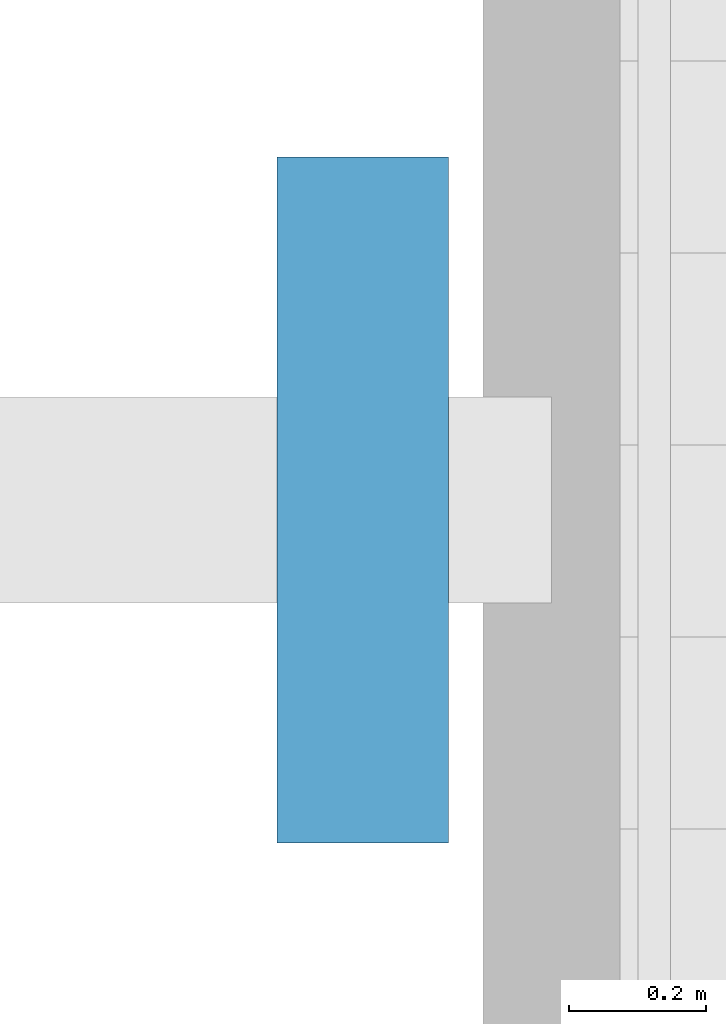
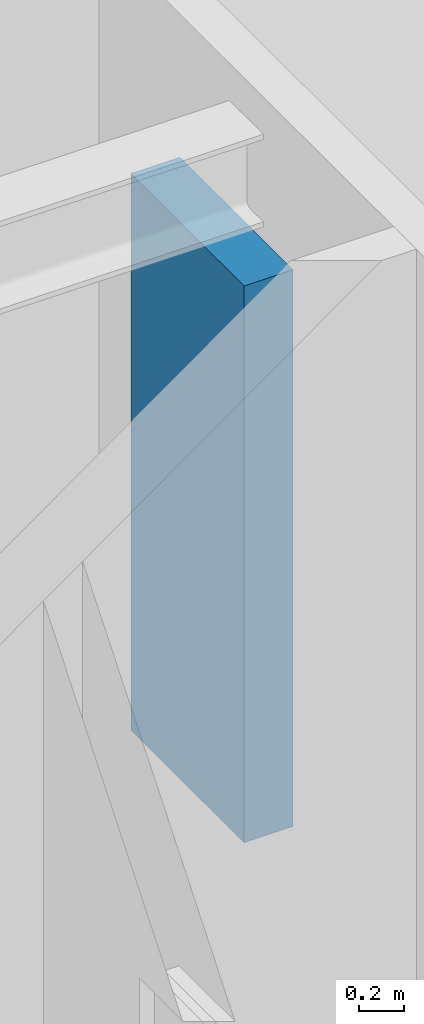
# One storey, part 14 of 17: 1 discrete accessory.
"""IFC4 building model written with IfcOpenShell, lengths in metres."""

import ifcopenshell
import ifcopenshell.guid

model = None  # the IFC model being written
_history = None  # IfcOwnerHistory: only IFC2X3 demands one
_inside = {}  # id of a spatial element -> (the spatial element, [elements in it])
_under = {}  # id of a project, library or spatial element -> (it, [spatial elements below it])
_declared = {}  # id of a project -> (the project, [libraries it declares])
_typed = {}  # id of a type object -> (the type object, [elements of that type])
_made_of = {}  # id of a material, layer set ... -> (it, [elements and type objects made of it])


def new_model(schema):
    """Start an empty IFC model of exactly this schema.

    Asked for "IFC4X3", IfcOpenShell would pick the latest addendum, in which some entities
    have other attributes; the version numbers below select the first issue.
    IFC2X3 requires an IfcOwnerHistory on every rooted entity: one is made here for all.
    """
    global model, _history
    if schema == "IFC4X3":
        model = ifcopenshell.file(schema_version=(4, 3, 0, 0))
    else:
        model = ifcopenshell.file(schema=schema)
    _inside.clear()
    _under.clear()
    _declared.clear()
    _typed.clear()
    _made_of.clear()
    _history = None
    if model.schema == "IFC2X3":
        org = make("IfcOrganization", Name="unknown")
        user = make(
            "IfcPersonAndOrganization",
            ThePerson=make("IfcPerson", FamilyName="unknown"),
            TheOrganization=org,
        )
        app = make(
            "IfcApplication",
            ApplicationDeveloper=org,
            Version="unknown",
            ApplicationFullName="unknown",
            ApplicationIdentifier="unknown",
        )
        _history = make(
            "IfcOwnerHistory",
            OwningUser=user,
            OwningApplication=app,
            ChangeAction="ADDED",
            CreationDate=0,
        )
    return model


def make(cls, **values):
    """One entity of the class cls with the attributes given. An attribute that is None is left unset."""
    return model.create_entity(
        cls, **{name: value for name, value in values.items() if value is not None}
    )


def rooted(cls, **values):
    """An entity with a GlobalId (a new one), such as an element, a storey or a relation."""
    return make(cls, GlobalId=ifcopenshell.guid.new(), OwnerHistory=_history, **values)


def si_unit(unit_type, name, prefix=None):
    """IfcSIUnit, for example si_unit("LENGTHUNIT", "METRE", prefix="MILLI")."""
    return make("IfcSIUnit", UnitType=unit_type, Prefix=prefix, Name=name)


def assignment(units):
    """IfcUnitAssignment: the units of a project."""
    return None if units is None else make("IfcUnitAssignment", Units=units)


def point(xyz):
    """IfcCartesianPoint."""
    return None if xyz is None else make("IfcCartesianPoint", Coordinates=xyz)


def direction(xyz):
    """IfcDirection."""
    return None if xyz is None else make("IfcDirection", DirectionRatios=xyz)


def frame(location, z_axis=None, x_axis=None):
    """IfcAxis2Placement3D, a coordinate frame: its origin and axes. An axis left out is left unset."""
    return make(
        "IfcAxis2Placement3D",
        Location=point(location),
        Axis=direction(z_axis),
        RefDirection=direction(x_axis),
    )


def frame_2d(location, x_axis=None):
    """IfcAxis2Placement2D, a coordinate frame in the plane: its origin and x axis."""
    return make(
        "IfcAxis2Placement2D", Location=point(location), RefDirection=direction(x_axis)
    )


def origin():
    """The frame at (0, 0, 0) with its axes left unset."""
    return frame((0.0, 0.0, 0.0))


def origin_2d():
    """The frame at (0, 0) in the plane with its x axis left unset."""
    return frame_2d((0.0, 0.0))


def place(relative_to, where):
    """IfcLocalPlacement: puts the frame where relative to a parent placement (None: the world)."""
    return make(
        "IfcLocalPlacement", PlacementRelTo=relative_to, RelativePlacement=where
    )


def context(
    kind, dimensions, precision=None, world=None, true_north=None, identifier=None
):
    """IfcGeometricRepresentationContext, for example the 3D "Model" context."""
    return make(
        "IfcGeometricRepresentationContext",
        ContextIdentifier=identifier,
        ContextType=kind,
        CoordinateSpaceDimension=dimensions,
        Precision=precision,
        WorldCoordinateSystem=world,
        TrueNorth=true_north,
    )


def subcontext(parent, identifier, kind, view, scale=None):
    """IfcGeometricRepresentationSubContext, for example "Body" below "Model"."""
    return make(
        "IfcGeometricRepresentationSubContext",
        ContextIdentifier=identifier,
        ContextType=kind,
        ParentContext=parent,
        TargetScale=scale,
        TargetView=view,
    )


def project(units=None, contexts=None):
    """IfcProject with its units and contexts."""
    return rooted(
        "IfcProject",
        Name="project",
        RepresentationContexts=contexts,
        UnitsInContext=assignment(units),
    )


def spatial(cls, under=None, at=None, **own):
    """A site, building, storey or space (cls), placed at a placement, below another one or the project."""
    s = rooted(cls, ObjectPlacement=at, **own)
    if under is not None:
        _under.setdefault(under.id(), (under, []))[1].append(s)
    return s


def profile(cls, at=None, kind="AREA", **sizes):
    """A parametric profile (cls). Its sizes go by their IFC names, for example OverallWidth=200.0."""
    return make(cls, ProfileType=kind, Position=at, **sizes)


def rectangle(**sizes):
    """IfcRectangleProfileDef."""
    return profile("IfcRectangleProfileDef", **sizes)


def extrude(swept, where, along, depth):
    """IfcExtrudedAreaSolid: the profile swept, set in the frame where, extruded along a direction by depth."""
    return make(
        "IfcExtrudedAreaSolid",
        SweptArea=swept,
        Position=where,
        ExtrudedDirection=direction(along),
        Depth=depth,
    )


def shape(context_of_items, identifier, shape_type, items):
    """IfcShapeRepresentation: the items that make up one representation, for example the "Body"."""
    return make(
        "IfcShapeRepresentation",
        ContextOfItems=context_of_items,
        RepresentationIdentifier=identifier,
        RepresentationType=shape_type,
        Items=items,
    )


def made_of(thing, what):
    """Note that an element or type object is made of a material, layer set ...; save() writes the relation."""
    if what is not None:
        _made_of.setdefault(what.id(), (what, []))[1].append(thing)
    return thing


def element(
    cls,
    number,
    at=None,
    inside=None,
    cuts=None,
    type_object=None,
    material=None,
    context=None,
    identifier="Body",
    shape_type=None,
    held_by="IfcProductDefinitionShape",
    body=None,
    shapes=None,
    **own,
):
    """One element of the class cls, such as IfcWall. Its Tag is "e" and its number.

    at: its placement. inside: the storey or other place that contains it. cuts: it is an
    opening in that element (IfcRelVoidsElement). A single representation is given by context,
    identifier, shape_type and body (its items); several are given by shapes. held_by: the class
    of the entity that holds the representations. save() writes the other relations.
    """
    e = rooted(cls, Tag="e%d" % number, ObjectPlacement=at, **own)
    if body is not None:
        shapes = [shape(context, identifier, shape_type, body)]
    if shapes is not None:
        e.Representation = make(held_by, Representations=shapes)
    if inside is not None:
        _inside.setdefault(inside.id(), (inside, []))[1].append(e)
    if cuts is not None:
        rooted(
            "IfcRelVoidsElement", RelatingBuildingElement=cuts, RelatedOpeningElement=e
        )
    if type_object is not None:
        _typed.setdefault(type_object.id(), (type_object, []))[1].append(e)
    return made_of(e, material)


def aggregate(whole, parts):
    """IfcRelAggregates: a whole, such as a stair, and the parts it consists of."""
    return rooted("IfcRelAggregates", RelatingObject=whole, RelatedObjects=parts)


def save(model, path):
    """Write the relations noted so far, then the file.

    IfcRelAggregates (storeys below a building ...), IfcRelContainedInSpatialStructure (elements
    in a storey), IfcRelDefinesByType, IfcRelAssociatesMaterial and IfcRelDeclares: one each for
    every whole, place, type object, material and project.
    """
    for whole, parts in _under.values():
        aggregate(whole, parts)
    for where, things in _inside.values():
        rooted(
            "IfcRelContainedInSpatialStructure",
            RelatedElements=things,
            RelatingStructure=where,
        )
    for kind, things in _typed.values():
        rooted("IfcRelDefinesByType", RelatedObjects=things, RelatingType=kind)
    for what, things in _made_of.values():
        rooted("IfcRelAssociatesMaterial", RelatedObjects=things, RelatingMaterial=what)
    for by, libraries in _declared.values():
        rooted("IfcRelDeclares", RelatingContext=by, RelatedDefinitions=libraries)
    model.write(path)


model = new_model("IFC4")

# Units and contexts
model_context = context("Model", 3, precision=1e-05, world=origin(), true_north=direction((0.0, 1.0)))
body_context = subcontext(model_context, "Body", "Model", "MODEL_VIEW")
ifc_project = project(units=[si_unit("LENGTHUNIT", "METRE"), si_unit("AREAUNIT", "SQUARE_METRE"), si_unit("VOLUMEUNIT", "CUBIC_METRE"), si_unit("PLANEANGLEUNIT", "RADIAN"), si_unit("MASSUNIT", "GRAM", prefix="KILO")], contexts=[model_context])

# Site, building, storey
site_placement = place(None, origin())
site = spatial("IfcSite", under=ifc_project, at=site_placement, CompositionType="ELEMENT")
building_placement = place(site_placement, origin())
building = spatial("IfcBuilding", under=site, at=building_placement, Name="Svetlomir Tower", CompositionType="ELEMENT")
storey_placement = place(building_placement, frame((0.0, 0.0, 165.5)))
storey = spatial("IfcBuildingStorey", under=building, at=storey_placement, Name="L39", CompositionType="ELEMENT", Elevation=165.5)

# Discrete accessory
discrete_accessory_placement = place(storey_placement, frame((25.824951171875, 25.300048828125, 1.25), z_axis=(0.0, 0.0, 1.0), x_axis=(1.0, 0.0, 0.0)))
element("IfcDiscreteAccessory", 1, at=discrete_accessory_placement, inside=storey, Name="Lift SH2 counterweight", ObjectType="LIFT COUNTERWEIGHT", PredefinedType="USERDEFINED", context=body_context, shape_type="SweptSolid", body=[
    extrude(rectangle(XDim=0.25, YDim=1.0, at=origin_2d()), origin(), (0.0, 0.0, 1.0), 3.0),
])

save(model, "model.ifc")
